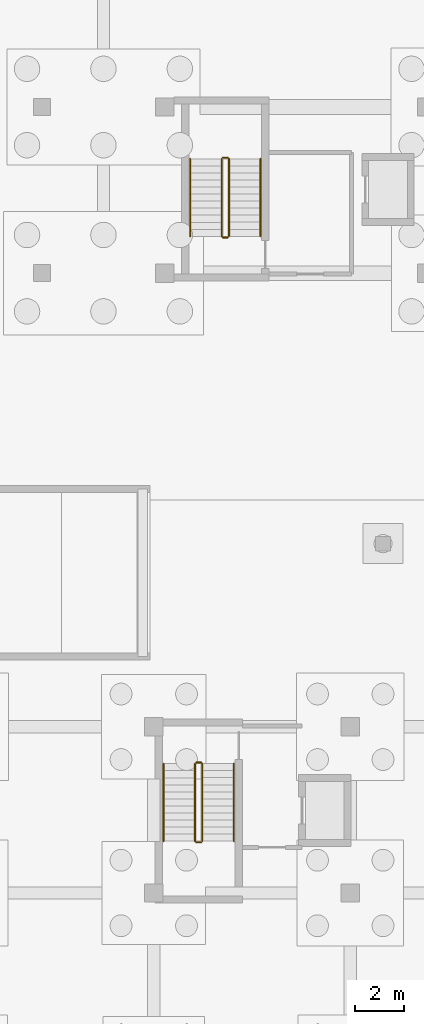
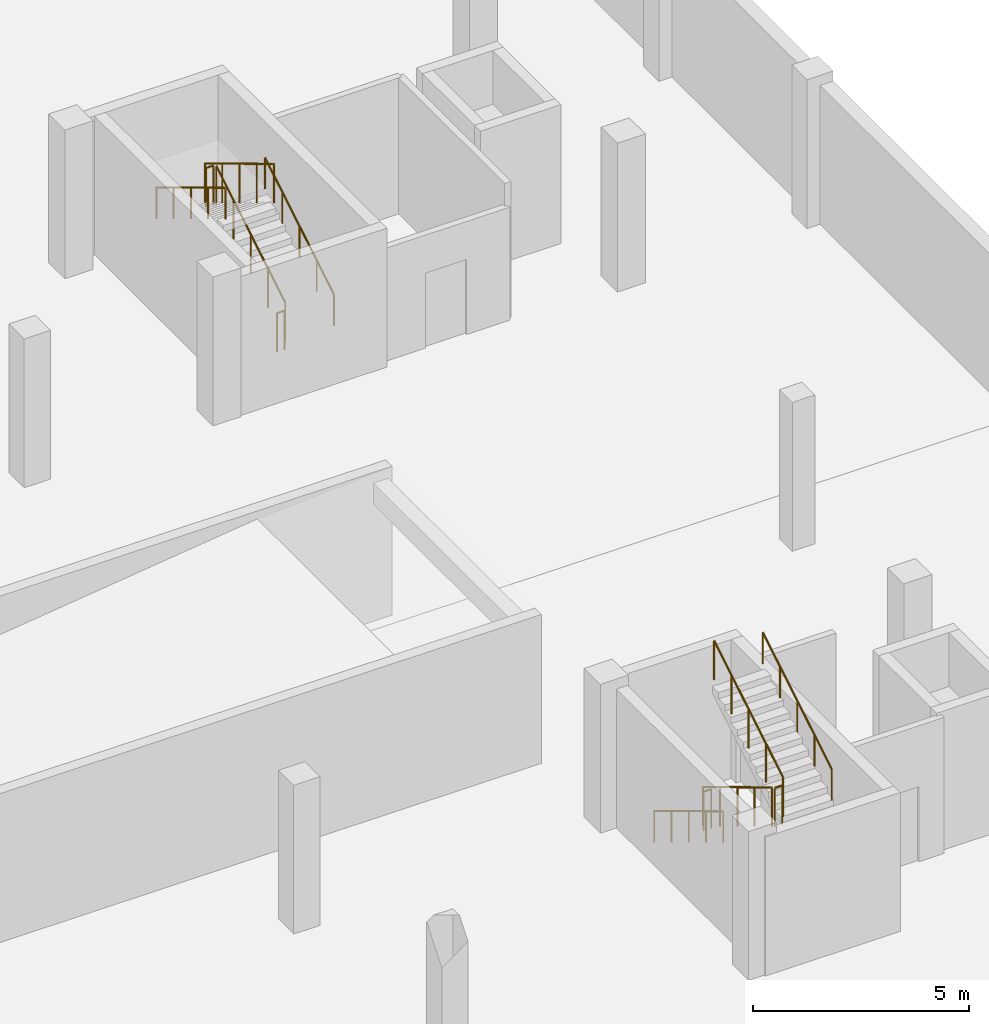
# One storey, part 34 of 36: 12 railings.
"""IFC4 building model written with IfcOpenShell, lengths in metres."""

from ifc_helpers import new_model, si_unit, derived_unit, direction, frame, origin, origin_2d, place, context, subcontext, project, spatial, circle, extrude, material, type_object, element, save


model = new_model("IFC4")

# Units and contexts
model_context = context("Model", 3, precision=1e-05, world=origin(), true_north=direction((0.0, 1.0)))
body_context = subcontext(model_context, "Body", "Model", "MODEL_VIEW")
ifc_project = project(units=[si_unit("LENGTHUNIT", "METRE"), si_unit("AREAUNIT", "SQUARE_METRE"), si_unit("VOLUMEUNIT", "CUBIC_METRE"), si_unit("PLANEANGLEUNIT", "RADIAN"), si_unit("MASSUNIT", "GRAM", prefix="KILO"), derived_unit("THERMALTRANSMITTANCEUNIT", [(si_unit("MASSUNIT", "GRAM", prefix="KILO"), 1), (si_unit("TIMEUNIT", "SECOND"), -3), (si_unit("THERMODYNAMICTEMPERATUREUNIT", "KELVIN"), -1)])], contexts=[model_context])

# Site, building, storey
site_placement = place(None, origin())
site = spatial("IfcSite", under=ifc_project, at=site_placement, CompositionType="ELEMENT")
building_placement = place(site_placement, origin())
building = spatial("IfcBuilding", under=site, at=building_placement, Name="Ochrekiln Boulevard Commons", CompositionType="ELEMENT")
storey_placement = place(building_placement, frame((0.0, 0.0, -4.199951171875)))
storey = spatial("IfcBuildingStorey", under=building, at=storey_placement, Name="B1", CompositionType="ELEMENT", Elevation=-4.199951171875)

# Railings
ifc_material = material(Name="Brushed stainless steel 316 tubular railing", Category="steel")
railing_type_1 = type_object("IfcRailingType", Name="RLG-HDR-900", PredefinedType="HANDRAIL", material=ifc_material)
railing_1_placement = place(storey_placement, frame((160.550048828125, 70.27001953125, 0.175048828125)))
element("IfcRailing", 1, at=railing_1_placement, inside=storey, type_object=railing_type_1, Name="B1 ST-B1 stair handrail 1", PredefinedType="HANDRAIL", context=body_context, shape_type="SweptSolid", body=[
    extrude(circle(Radius=0.02392578125, at=origin_2d()), frame((0.0, 0.0, 0.8759765625), z_axis=(0.0, 0.856206652436, 0.516633495163), x_axis=(-1.0, 0.0, 0.0)), (0.0, 0.0, 1.0), 3.7255859375),
    extrude(circle(Radius=0.02099609375, at=origin_2d()), origin(), (0.0, 0.0, 1.0), 0.851806640625),
    extrude(circle(Radius=0.02099609375, at=origin_2d()), frame((0.0, 0.79736328125, 0.481201171875)), (0.0, 0.0, 1.0), 0.851806640625),
    extrude(circle(Radius=0.02099609375, at=origin_2d()), frame((0.0, 1.594970703125, 0.96240234375)), (0.0, 0.0, 1.0), 0.851806640625),
    extrude(circle(Radius=0.02099609375, at=origin_2d()), frame((0.0, 2.392578125, 1.443603515625)), (0.0, 0.0, 1.0), 0.851806640625),
    extrude(circle(Radius=0.02099609375, at=origin_2d()), frame((0.0, 3.18994140625, 1.9248046875)), (0.0, 0.0, 1.0), 0.851806640625),
])
railing_2_placement = place(storey_placement, frame((157.64990234375, 73.4599609375, 2.27490234375)))
element("IfcRailing", 2, at=railing_2_placement, inside=storey, type_object=railing_type_1, Name="B1 ST-B1 stair handrail 2", PredefinedType="HANDRAIL", context=body_context, shape_type="SweptSolid", body=[
    extrude(circle(Radius=0.02392578125, at=origin_2d()), frame((0.0, 0.0, 0.8759765625), z_axis=(0.0, -0.856177665481, 0.516681531633), x_axis=(1.0, 0.0, 0.0)), (0.0, 0.0, 1.0), 3.725830078125),
    extrude(circle(Radius=0.02099609375, at=origin_2d()), origin(), (0.0, 0.0, 1.0), 0.851806640625),
    extrude(circle(Radius=0.02099609375, at=origin_2d()), frame((0.0, -0.79736328125, 0.481201171875)), (0.0, 0.0, 1.0), 0.851806640625),
    extrude(circle(Radius=0.02099609375, at=origin_2d()), frame((0.0, -1.594970703125, 0.96240234375)), (0.0, 0.0, 1.0), 0.851806640625),
    extrude(circle(Radius=0.02099609375, at=origin_2d()), frame((0.0, -2.392578125, 1.44384765625)), (0.0, 0.0, 1.0), 0.851806640625),
    extrude(circle(Radius=0.02099609375, at=origin_2d()), frame((0.0, -3.18994140625, 1.925048828125)), (0.0, 0.0, 1.0), 0.851806640625),
])
railing_3_placement = place(storey_placement, frame((156.550048828125, 48.530029296875, 0.175048828125)))
element("IfcRailing", 3, at=railing_3_placement, inside=storey, type_object=railing_type_1, Name="B1 ST-C2 stair handrail 1", PredefinedType="HANDRAIL", context=body_context, shape_type="SweptSolid", body=[
    extrude(circle(Radius=0.02392578125, at=origin_2d()), frame((0.0, 0.0, 0.8759765625), z_axis=(0.0, -0.856206652436, 0.516633495163), x_axis=(1.0, 0.0, 0.0)), (0.0, 0.0, 1.0), 3.7255859375),
    extrude(circle(Radius=0.02099609375, at=origin_2d()), origin(), (0.0, 0.0, 1.0), 0.851806640625),
    extrude(circle(Radius=0.02099609375, at=origin_2d()), frame((0.0, -0.79736328125, 0.481201171875)), (0.0, 0.0, 1.0), 0.851806640625),
    extrude(circle(Radius=0.02099609375, at=origin_2d()), frame((0.0, -1.594970703125, 0.96240234375)), (0.0, 0.0, 1.0), 0.851806640625),
    extrude(circle(Radius=0.02099609375, at=origin_2d()), frame((0.0, -2.392578125, 1.443603515625)), (0.0, 0.0, 1.0), 0.851806640625),
    extrude(circle(Radius=0.02099609375, at=origin_2d()), frame((0.0, -3.18994140625, 1.9248046875)), (0.0, 0.0, 1.0), 0.851806640625),
])
railing_4_placement = place(storey_placement, frame((159.449951171875, 45.340087890625, 2.27490234375)))
element("IfcRailing", 4, at=railing_4_placement, inside=storey, type_object=railing_type_1, Name="B1 ST-C2 stair handrail 2", PredefinedType="HANDRAIL", context=body_context, shape_type="SweptSolid", body=[
    extrude(circle(Radius=0.02392578125, at=origin_2d()), frame((0.0, 0.0, 0.8759765625), z_axis=(0.0, 0.856177665481, 0.516681531633), x_axis=(-1.0, 0.0, 0.0)), (0.0, 0.0, 1.0), 3.725830078125),
    extrude(circle(Radius=0.02099609375, at=origin_2d()), origin(), (0.0, 0.0, 1.0), 0.851806640625),
    extrude(circle(Radius=0.02099609375, at=origin_2d()), frame((0.0, 0.79736328125, 0.481201171875)), (0.0, 0.0, 1.0), 0.851806640625),
    extrude(circle(Radius=0.02099609375, at=origin_2d()), frame((0.0, 1.594970703125, 0.96240234375)), (0.0, 0.0, 1.0), 0.851806640625),
    extrude(circle(Radius=0.02099609375, at=origin_2d()), frame((0.0, 2.392578125, 1.44384765625)), (0.0, 0.0, 1.0), 0.851806640625),
    extrude(circle(Radius=0.02099609375, at=origin_2d()), frame((0.0, 3.18994140625, 1.925048828125)), (0.0, 0.0, 1.0), 0.851806640625),
])
railing_type_2 = type_object("IfcRailingType", Name="RLG-STR-1120", PredefinedType="BALUSTRADE", material=ifc_material)
railing_5_placement = place(storey_placement, frame((159.25, 70.27001953125, 0.175048828125)))
element("IfcRailing", 5, at=railing_5_placement, inside=storey, type_object=railing_type_2, Name="B1 ST-B1 stair guard 1", PredefinedType="BALUSTRADE", context=body_context, shape_type="SweptSolid", body=[
    extrude(circle(Radius=0.02392578125, at=origin_2d()), frame((0.0, 0.0, 1.09619140625), z_axis=(0.0, 0.856206652436, 0.516633495163), x_axis=(-1.0, 0.0, 0.0)), (0.0, 0.0, 1.0), 3.7255859375),
    extrude(circle(Radius=0.02099609375, at=origin_2d()), origin(), (0.0, 0.0, 1.0), 1.072021484375),
    extrude(circle(Radius=0.02099609375, at=origin_2d()), frame((0.0, 0.79736328125, 0.481201171875)), (0.0, 0.0, 1.0), 1.072021484375),
    extrude(circle(Radius=0.02099609375, at=origin_2d()), frame((0.0, 1.594970703125, 0.96240234375)), (0.0, 0.0, 1.0), 1.072021484375),
    extrude(circle(Radius=0.02099609375, at=origin_2d()), frame((0.0, 2.392578125, 1.443603515625)), (0.0, 0.0, 1.0), 1.072021484375),
    extrude(circle(Radius=0.02099609375, at=origin_2d()), frame((0.0, 3.18994140625, 1.9248046875)), (0.0, 0.0, 1.0), 1.072021484375),
])
railing_6_placement = place(storey_placement, frame((159.199951171875, 73.510009765625, 2.099853515625)))
element("IfcRailing", 6, at=railing_6_placement, inside=storey, type_object=railing_type_2, Name="B1 ST-B1 stair guard 2", PredefinedType="BALUSTRADE", context=body_context, shape_type="SweptSolid", body=[
    extrude(circle(Radius=0.02392578125, at=origin_2d()), frame((0.0, 0.0, 1.09619140625), z_axis=(-1.0, 0.0, 0.0), x_axis=(0.0, -1.0, 0.0)), (0.0, 0.0, 1.0), 0.199951171875),
    extrude(circle(Radius=0.02099609375, at=origin_2d()), origin(), (0.0, 0.0, 1.0), 1.072021484375),
    extrude(circle(Radius=0.02099609375, at=origin_2d()), frame((-0.199951171875, 0.0, 0.0)), (0.0, 0.0, 1.0), 1.072021484375),
])
railing_7_placement = place(storey_placement, frame((158.949951171875, 73.4599609375, 2.27490234375)))
element("IfcRailing", 7, at=railing_7_placement, inside=storey, type_object=railing_type_2, Name="B1 ST-B1 stair guard 3", PredefinedType="BALUSTRADE", context=body_context, shape_type="SweptSolid", body=[
    extrude(circle(Radius=0.02392578125, at=origin_2d()), frame((0.0, 0.0, 1.09619140625), z_axis=(0.0, -0.856177665481, 0.516681531633), x_axis=(1.0, 0.0, 0.0)), (0.0, 0.0, 1.0), 3.725830078125),
    extrude(circle(Radius=0.02099609375, at=origin_2d()), origin(), (0.0, 0.0, 1.0), 1.072021484375),
    extrude(circle(Radius=0.02099609375, at=origin_2d()), frame((0.0, -0.79736328125, 0.481201171875)), (0.0, 0.0, 1.0), 1.072021484375),
    extrude(circle(Radius=0.02099609375, at=origin_2d()), frame((0.0, -1.594970703125, 0.96240234375)), (0.0, 0.0, 1.0), 1.072021484375),
    extrude(circle(Radius=0.02099609375, at=origin_2d()), frame((0.0, -2.392578125, 1.44384765625)), (0.0, 0.0, 1.0), 1.072021484375),
    extrude(circle(Radius=0.02099609375, at=origin_2d()), frame((0.0, -3.18994140625, 1.925048828125)), (0.0, 0.0, 1.0), 1.072021484375),
])
railing_8_placement = place(storey_placement, frame((159.199951171875, 70.219970703125, 0.0)))
element("IfcRailing", 8, at=railing_8_placement, inside=storey, type_object=railing_type_2, Name="B1 ST-B1 stair guard 4", PredefinedType="BALUSTRADE", context=body_context, shape_type="SweptSolid", body=[
    extrude(circle(Radius=0.02392578125, at=origin_2d()), frame((0.0, 0.0, 1.09619140625), z_axis=(-1.0, 0.0, 0.0), x_axis=(0.0, -1.0, 0.0)), (0.0, 0.0, 1.0), 0.199951171875),
    extrude(circle(Radius=0.02099609375, at=origin_2d()), origin(), (0.0, 0.0, 1.0), 1.072021484375),
    extrude(circle(Radius=0.02099609375, at=origin_2d()), frame((-0.199951171875, 0.0, 0.0)), (0.0, 0.0, 1.0), 1.072021484375),
])
railing_9_placement = place(storey_placement, frame((157.85009765625, 48.530029296875, 0.175048828125)))
element("IfcRailing", 9, at=railing_9_placement, inside=storey, type_object=railing_type_2, Name="B1 ST-C2 stair guard 1", PredefinedType="BALUSTRADE", context=body_context, shape_type="SweptSolid", body=[
    extrude(circle(Radius=0.02392578125, at=origin_2d()), frame((0.0, 0.0, 1.09619140625), z_axis=(0.0, -0.856206652436, 0.516633495163), x_axis=(1.0, 0.0, 0.0)), (0.0, 0.0, 1.0), 3.7255859375),
    extrude(circle(Radius=0.02099609375, at=origin_2d()), origin(), (0.0, 0.0, 1.0), 1.072021484375),
    extrude(circle(Radius=0.02099609375, at=origin_2d()), frame((0.0, -0.79736328125, 0.481201171875)), (0.0, 0.0, 1.0), 1.072021484375),
    extrude(circle(Radius=0.02099609375, at=origin_2d()), frame((0.0, -1.594970703125, 0.96240234375)), (0.0, 0.0, 1.0), 1.072021484375),
    extrude(circle(Radius=0.02099609375, at=origin_2d()), frame((0.0, -2.392578125, 1.443603515625)), (0.0, 0.0, 1.0), 1.072021484375),
    extrude(circle(Radius=0.02099609375, at=origin_2d()), frame((0.0, -3.18994140625, 1.9248046875)), (0.0, 0.0, 1.0), 1.072021484375),
])
railing_10_placement = place(storey_placement, frame((157.89990234375, 45.2900390625, 2.099853515625)))
element("IfcRailing", 10, at=railing_10_placement, inside=storey, type_object=railing_type_2, Name="B1 ST-C2 stair guard 2", PredefinedType="BALUSTRADE", context=body_context, shape_type="SweptSolid", body=[
    extrude(circle(Radius=0.02392578125, at=origin_2d()), frame((0.0, 0.0, 1.09619140625), z_axis=(1.0, 0.0, 0.0), x_axis=(0.0, 1.0, 0.0)), (0.0, 0.0, 1.0), 0.2001953125),
    extrude(circle(Radius=0.02099609375, at=origin_2d()), origin(), (0.0, 0.0, 1.0), 1.072021484375),
    extrude(circle(Radius=0.02099609375, at=origin_2d()), frame((0.2001953125, 0.0, 0.0)), (0.0, 0.0, 1.0), 1.072021484375),
])
railing_11_placement = place(storey_placement, frame((158.14990234375, 45.340087890625, 2.27490234375)))
element("IfcRailing", 11, at=railing_11_placement, inside=storey, type_object=railing_type_2, Name="B1 ST-C2 stair guard 3", PredefinedType="BALUSTRADE", context=body_context, shape_type="SweptSolid", body=[
    extrude(circle(Radius=0.02392578125, at=origin_2d()), frame((0.0, 0.0, 1.09619140625), z_axis=(0.0, 0.856177665481, 0.516681531633), x_axis=(-1.0, 0.0, 0.0)), (0.0, 0.0, 1.0), 3.725830078125),
    extrude(circle(Radius=0.02099609375, at=origin_2d()), origin(), (0.0, 0.0, 1.0), 1.072021484375),
    extrude(circle(Radius=0.02099609375, at=origin_2d()), frame((0.0, 0.79736328125, 0.481201171875)), (0.0, 0.0, 1.0), 1.072021484375),
    extrude(circle(Radius=0.02099609375, at=origin_2d()), frame((0.0, 1.594970703125, 0.96240234375)), (0.0, 0.0, 1.0), 1.072021484375),
    extrude(circle(Radius=0.02099609375, at=origin_2d()), frame((0.0, 2.392578125, 1.44384765625)), (0.0, 0.0, 1.0), 1.072021484375),
    extrude(circle(Radius=0.02099609375, at=origin_2d()), frame((0.0, 3.18994140625, 1.925048828125)), (0.0, 0.0, 1.0), 1.072021484375),
])
railing_12_placement = place(storey_placement, frame((157.89990234375, 48.580078125, 0.0)))
element("IfcRailing", 12, at=railing_12_placement, inside=storey, type_object=railing_type_2, Name="B1 ST-C2 stair guard 4", PredefinedType="BALUSTRADE", context=body_context, shape_type="SweptSolid", body=[
    extrude(circle(Radius=0.02392578125, at=origin_2d()), frame((0.0, 0.0, 1.09619140625), z_axis=(1.0, 0.0, 0.0), x_axis=(0.0, 1.0, 0.0)), (0.0, 0.0, 1.0), 0.2001953125),
    extrude(circle(Radius=0.02099609375, at=origin_2d()), origin(), (0.0, 0.0, 1.0), 1.072021484375),
    extrude(circle(Radius=0.02099609375, at=origin_2d()), frame((0.2001953125, 0.0, 0.0)), (0.0, 0.0, 1.0), 1.072021484375),
])

save(model, "model.ifc")
